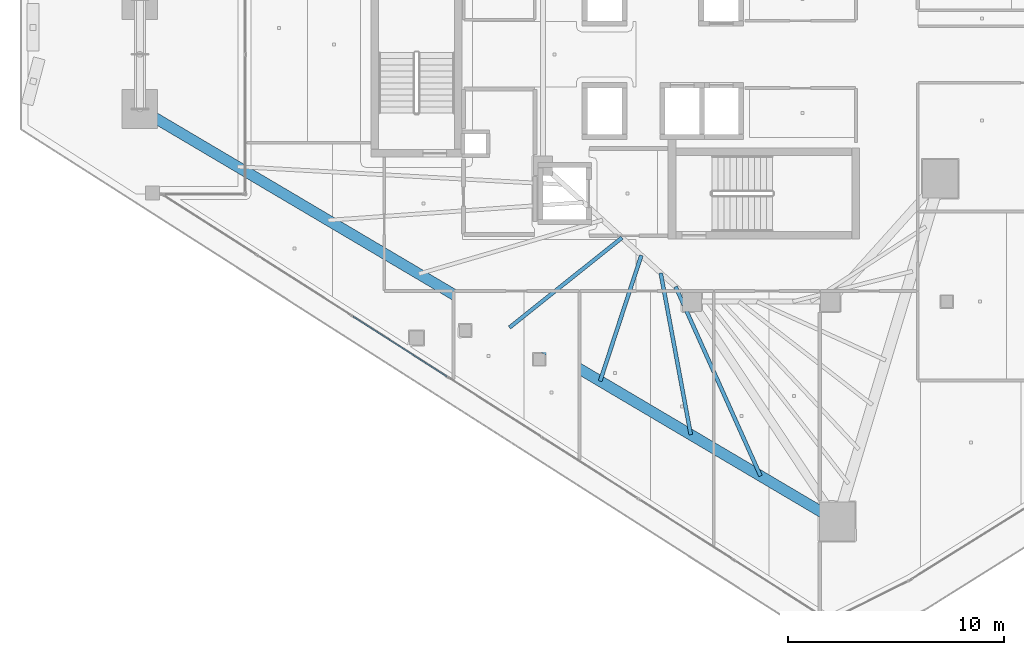
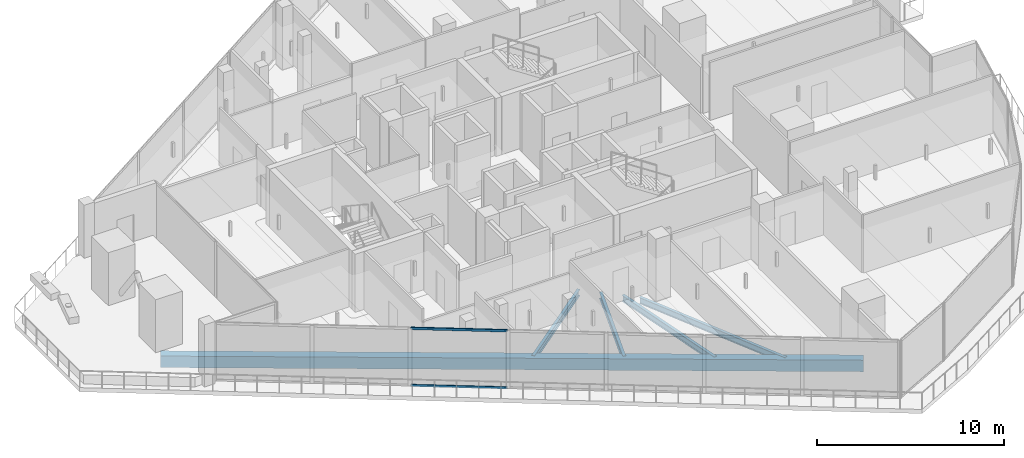
# One storey, part 4 of 32: 5 beams, 2 members, 1 element without a shape of its own.
"""IFC4 building model written with IfcOpenShell, lengths in metres."""

from ifc_helpers import new_model, si_unit, direction, frame, origin, origin_2d, place, context, subcontext, project, spatial, rectangle, hollow_rectangle, i_section, extrude, material, layer, layer_set, material_profile, profile_set, type_object, element, aggregate, save


model = new_model("IFC4")

# Units and contexts
model_context = context("Model", 3, precision=1e-05, world=origin(), true_north=direction((0.0, 1.0)))
body_context = subcontext(model_context, "Body", "Model", "MODEL_VIEW")
ifc_project = project(units=[si_unit("LENGTHUNIT", "METRE"), si_unit("AREAUNIT", "SQUARE_METRE"), si_unit("VOLUMEUNIT", "CUBIC_METRE"), si_unit("PLANEANGLEUNIT", "RADIAN"), si_unit("MASSUNIT", "GRAM", prefix="KILO")], contexts=[model_context])

# Site, building, storey
site_placement = place(None, origin())
site = spatial("IfcSite", under=ifc_project, at=site_placement, CompositionType="ELEMENT")
building_placement = place(site_placement, origin())
building = spatial("IfcBuilding", under=site, at=building_placement, Name="Qorvath Tower", CompositionType="ELEMENT")
storey_placement = place(building_placement, frame((0.0, 0.0, 233.39990234375)))
storey = spatial("IfcBuildingStorey", under=building, at=storey_placement, Name="L54", CompositionType="ELEMENT", Elevation=233.39990234375)

# Beams
ifc_material_1 = material(Name="Steel ASTM A992 Grade 50", Category="steel")
ifc_material_profile_1 = material_profile(ifc_material_1, i_section(OverallWidth=0.177978515625, OverallDepth=0.406005859375, WebThickness=0.0078125, FlangeThickness=0.0126953125, FilletRadius=0.010986328125, at=origin_2d()), Name="W16x40")
ifc_profile_set_1 = profile_set([ifc_material_profile_1], Name="Steel ASTM A992 Grade 50")
beam_type_1 = type_object("IfcBeamType", Name="BM-FJ3", PredefinedType="JOIST", material=ifc_profile_set_1)
beam_1_placement = place(storey_placement, frame((-26.843017578125, -8.489013671875, -0.472900390625), z_axis=(-0.781336553339, -0.624109918537, 0.0), x_axis=(0.624109918537, -0.781336553339, 0.0)))
element("IfcBeam", 1, at=beam_1_placement, inside=storey, type_object=beam_type_1, Name="Composite Floor Joist SW4 L54", PredefinedType="JOIST", context=body_context, shape_type="SweptSolid", body=[
    extrude(i_section(OverallWidth=0.177978515625, OverallDepth=0.406005859375, WebThickness=0.0078125, FlangeThickness=0.0126953125, FilletRadius=0.010986328125, at=origin_2d()), origin(), (0.0, 0.0, 1.0), 6.667724609375),
])
beam_2_placement = place(storey_placement, frame((-25.946044921875, -9.30810546875, -0.472900390625), z_axis=(-0.311228747452, -0.950335028692, 0.0), x_axis=(0.950335028692, -0.311228747452, 0.0)))
element("IfcBeam", 2, at=beam_2_placement, inside=storey, type_object=beam_type_1, Name="Composite Floor Joist SW5 L54", PredefinedType="JOIST", context=body_context, shape_type="SweptSolid", body=[
    extrude(i_section(OverallWidth=0.177978515625, OverallDepth=0.406005859375, WebThickness=0.0078125, FlangeThickness=0.0126953125, FilletRadius=0.010986328125, at=origin_2d()), origin(), (0.0, 0.0, 1.0), 6.129638671875),
])
beam_3_placement = place(storey_placement, frame((-25.049072265625, -10.126953125, -0.472900390625), z_axis=(0.183026775988, -0.983107928598, 0.0), x_axis=(0.983107928598, 0.183026775988, 0.0)))
element("IfcBeam", 3, at=beam_3_placement, inside=storey, type_object=beam_type_1, Name="Composite Floor Joist SW6 L54", PredefinedType="JOIST", context=body_context, shape_type="SweptSolid", body=[
    extrude(i_section(OverallWidth=0.177978515625, OverallDepth=0.406005859375, WebThickness=0.0078125, FlangeThickness=0.0126953125, FilletRadius=0.010986328125, at=origin_2d()), origin(), (0.0, 0.0, 1.0), 7.617919921875),
])
beam_4_placement = place(storey_placement, frame((-24.35888671875, -10.757080078125, -0.472900390625), z_axis=(0.409327209141, -0.912387656568, 0.0), x_axis=(0.912387656568, 0.409327209141, 0.0)))
element("IfcBeam", 4, at=beam_4_placement, inside=storey, type_object=beam_type_1, Name="Composite Floor Joist SW7 L54", PredefinedType="JOIST", context=body_context, shape_type="SweptSolid", body=[
    extrude(i_section(OverallWidth=0.177978515625, OverallDepth=0.406005859375, WebThickness=0.0078125, FlangeThickness=0.0126953125, FilletRadius=0.010986328125, at=origin_2d()), origin(), (0.0, 0.0, 1.0), 9.611083984375),
])
ifc_material_2 = material(Name="Concrete C45/55", Category="concrete")
ifc_material_profile_2 = material_profile(ifc_material_2, rectangle(XDim=0.5, YDim=0.75, at=origin_2d()), Name="RCB 750x500")
ifc_profile_set_2 = profile_set([ifc_material_profile_2], Name="Concrete C45/55")
beam_type_2 = type_object("IfcBeamType", Name="BM-RCB3", PredefinedType="SPANDREL", material=ifc_profile_set_2)
beam_5_placement = place(storey_placement, frame((-49.171875, -2.52783203125, -0.64501953125), z_axis=(0.860776759786, -0.50898268125, 0.0), x_axis=(0.50898268125, 0.860776759786, 0.0)))
element("IfcBeam", 5, at=beam_5_placement, inside=storey, type_object=beam_type_2, Name="Perimeter Loggia Frame Beam MC2-MC3 L54", PredefinedType="SPANDREL", context=body_context, shape_type="SweptSolid", body=[
    extrude(rectangle(XDim=0.5, YDim=0.75, at=origin_2d()), origin(), (0.0, 0.0, 1.0), 37.524658203125),
])

# Curtain wall, members
ifc_material_3 = material(Name="Anodised aluminium and triple low-E glass", Category="aluminium")
ifc_layer = layer(ifc_material_3, 0.179931640625)
ifc_layer_set = layer_set([ifc_layer], Name="CW-SYS-5")
curtain_wall_type = type_object("IfcCurtainWallType", Name="CW-SYS-5", PredefinedType="NOTDEFINED", material=ifc_layer_set)
curtain_wall_placement = place(storey_placement, origin())
curtain_wall = element("IfcCurtainWall", 6, at=curtain_wall_placement, inside=storey, type_object=curtain_wall_type, Name="Curtain Wall CW-5 CW-T-L54-4.1", PredefinedType="NOTDEFINED")
ifc_material_4 = material(Name="Anodised aluminium 6063-T6", Category="aluminium")
ifc_material_profile_3 = material_profile(ifc_material_4, hollow_rectangle(XDim=0.06494140625, YDim=0.159912109375, WallThickness=0.00341796875, InnerFilletRadius=0.00341796875, OuterFilletRadius=0.007080078125, at=origin_2d()), Name="CWT 160x65")
ifc_profile_set_3 = profile_set([ifc_material_profile_3], Name="Anodised aluminium 6063-T6")
member_type = type_object("IfcMemberType", Name="CWT-160", PredefinedType="USERDEFINED", material=ifc_profile_set_3)
member_1_placement = place(storey_placement, frame((-39.30029296875, -12.140869140625, 0.032470703125), z_axis=(0.842614632309, -0.538517020548, 0.0), x_axis=(0.538517020548, 0.842614632309, 0.0)))
member_1 = element("IfcMember", 7, at=member_1_placement, type_object=member_type, Name="CW-5 transom 3.1", ObjectType="TRANSOM", PredefinedType="USERDEFINED", context=body_context, shape_type="SweptSolid", body=[
    extrude(hollow_rectangle(XDim=0.06494140625, YDim=0.159912109375, WallThickness=0.00341796875, InnerFilletRadius=0.00341796875, OuterFilletRadius=0.007080078125, at=origin_2d()), origin(), (0.0, 0.0, 1.0), 5.16455078125),
])
member_2_placement = place(storey_placement, frame((-39.30029296875, -12.140869140625, 3.74755859375), z_axis=(0.842614632309, -0.538517020548, 0.0), x_axis=(0.538517020548, 0.842614632309, 0.0)))
member_2 = element("IfcMember", 8, at=member_2_placement, type_object=member_type, Name="CW-5 transom 3.2", ObjectType="TRANSOM", PredefinedType="USERDEFINED", context=body_context, shape_type="SweptSolid", body=[
    extrude(hollow_rectangle(XDim=0.06494140625, YDim=0.159912109375, WallThickness=0.00341796875, InnerFilletRadius=0.00341796875, OuterFilletRadius=0.007080078125, at=origin_2d()), origin(), (0.0, 0.0, 1.0), 5.16455078125),
])
aggregate(curtain_wall, [member_1, member_2])

save(model, "model.ifc")
